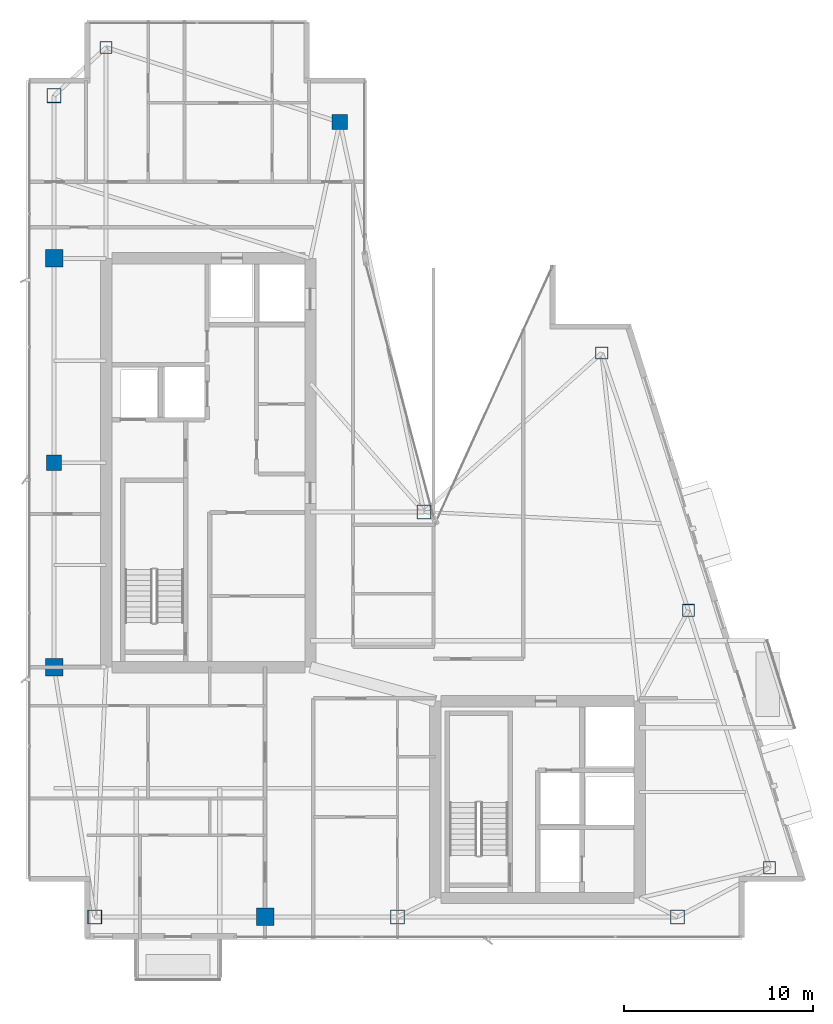
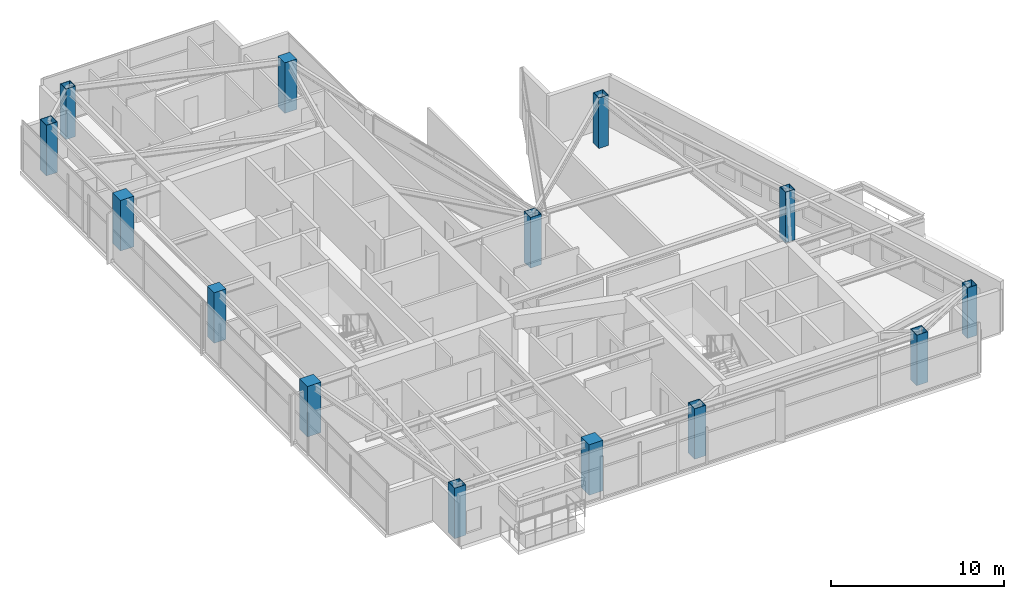
# One storey, part 1 of 27: 14 columns.
"""IFC4 building model written with IfcOpenShell, lengths in metres."""

import ifcopenshell
import ifcopenshell.guid

model = None  # the IFC model being written
_history = None  # IfcOwnerHistory: only IFC2X3 demands one
_inside = {}  # id of a spatial element -> (the spatial element, [elements in it])
_under = {}  # id of a project, library or spatial element -> (it, [spatial elements below it])
_declared = {}  # id of a project -> (the project, [libraries it declares])
_typed = {}  # id of a type object -> (the type object, [elements of that type])
_made_of = {}  # id of a material, layer set ... -> (it, [elements and type objects made of it])


def new_model(schema):
    """Start an empty IFC model of exactly this schema.

    Asked for "IFC4X3", IfcOpenShell would pick the latest addendum, in which some entities
    have other attributes; the version numbers below select the first issue.
    IFC2X3 requires an IfcOwnerHistory on every rooted entity: one is made here for all.
    """
    global model, _history
    if schema == "IFC4X3":
        model = ifcopenshell.file(schema_version=(4, 3, 0, 0))
    else:
        model = ifcopenshell.file(schema=schema)
    _inside.clear()
    _under.clear()
    _declared.clear()
    _typed.clear()
    _made_of.clear()
    _history = None
    if model.schema == "IFC2X3":
        org = make("IfcOrganization", Name="unknown")
        user = make(
            "IfcPersonAndOrganization",
            ThePerson=make("IfcPerson", FamilyName="unknown"),
            TheOrganization=org,
        )
        app = make(
            "IfcApplication",
            ApplicationDeveloper=org,
            Version="unknown",
            ApplicationFullName="unknown",
            ApplicationIdentifier="unknown",
        )
        _history = make(
            "IfcOwnerHistory",
            OwningUser=user,
            OwningApplication=app,
            ChangeAction="ADDED",
            CreationDate=0,
        )
    return model


def make(cls, **values):
    """One entity of the class cls with the attributes given. An attribute that is None is left unset."""
    return model.create_entity(
        cls, **{name: value for name, value in values.items() if value is not None}
    )


def rooted(cls, **values):
    """An entity with a GlobalId (a new one), such as an element, a storey or a relation."""
    return make(cls, GlobalId=ifcopenshell.guid.new(), OwnerHistory=_history, **values)


def si_unit(unit_type, name, prefix=None):
    """IfcSIUnit, for example si_unit("LENGTHUNIT", "METRE", prefix="MILLI")."""
    return make("IfcSIUnit", UnitType=unit_type, Prefix=prefix, Name=name)


def assignment(units):
    """IfcUnitAssignment: the units of a project."""
    return None if units is None else make("IfcUnitAssignment", Units=units)


def point(xyz):
    """IfcCartesianPoint."""
    return None if xyz is None else make("IfcCartesianPoint", Coordinates=xyz)


def direction(xyz):
    """IfcDirection."""
    return None if xyz is None else make("IfcDirection", DirectionRatios=xyz)


def frame(location, z_axis=None, x_axis=None):
    """IfcAxis2Placement3D, a coordinate frame: its origin and axes. An axis left out is left unset."""
    return make(
        "IfcAxis2Placement3D",
        Location=point(location),
        Axis=direction(z_axis),
        RefDirection=direction(x_axis),
    )


def frame_2d(location, x_axis=None):
    """IfcAxis2Placement2D, a coordinate frame in the plane: its origin and x axis."""
    return make(
        "IfcAxis2Placement2D", Location=point(location), RefDirection=direction(x_axis)
    )


def origin():
    """The frame at (0, 0, 0) with its axes left unset."""
    return frame((0.0, 0.0, 0.0))


def origin_2d():
    """The frame at (0, 0) in the plane with its x axis left unset."""
    return frame_2d((0.0, 0.0))


def place(relative_to, where):
    """IfcLocalPlacement: puts the frame where relative to a parent placement (None: the world)."""
    return make(
        "IfcLocalPlacement", PlacementRelTo=relative_to, RelativePlacement=where
    )


def context(
    kind, dimensions, precision=None, world=None, true_north=None, identifier=None
):
    """IfcGeometricRepresentationContext, for example the 3D "Model" context."""
    return make(
        "IfcGeometricRepresentationContext",
        ContextIdentifier=identifier,
        ContextType=kind,
        CoordinateSpaceDimension=dimensions,
        Precision=precision,
        WorldCoordinateSystem=world,
        TrueNorth=true_north,
    )


def subcontext(parent, identifier, kind, view, scale=None):
    """IfcGeometricRepresentationSubContext, for example "Body" below "Model"."""
    return make(
        "IfcGeometricRepresentationSubContext",
        ContextIdentifier=identifier,
        ContextType=kind,
        ParentContext=parent,
        TargetScale=scale,
        TargetView=view,
    )


def project(units=None, contexts=None):
    """IfcProject with its units and contexts."""
    return rooted(
        "IfcProject",
        Name="project",
        RepresentationContexts=contexts,
        UnitsInContext=assignment(units),
    )


def spatial(cls, under=None, at=None, **own):
    """A site, building, storey or space (cls), placed at a placement, below another one or the project."""
    s = rooted(cls, ObjectPlacement=at, **own)
    if under is not None:
        _under.setdefault(under.id(), (under, []))[1].append(s)
    return s


def profile(cls, at=None, kind="AREA", **sizes):
    """A parametric profile (cls). Its sizes go by their IFC names, for example OverallWidth=200.0."""
    return make(cls, ProfileType=kind, Position=at, **sizes)


def rectangle(**sizes):
    """IfcRectangleProfileDef."""
    return profile("IfcRectangleProfileDef", **sizes)


def hollow_rectangle(**sizes):
    """IfcRectangleHollowProfileDef."""
    return profile("IfcRectangleHollowProfileDef", **sizes)


def extrude(swept, where, along, depth):
    """IfcExtrudedAreaSolid: the profile swept, set in the frame where, extruded along a direction by depth."""
    return make(
        "IfcExtrudedAreaSolid",
        SweptArea=swept,
        Position=where,
        ExtrudedDirection=direction(along),
        Depth=depth,
    )


def shape(context_of_items, identifier, shape_type, items):
    """IfcShapeRepresentation: the items that make up one representation, for example the "Body"."""
    return make(
        "IfcShapeRepresentation",
        ContextOfItems=context_of_items,
        RepresentationIdentifier=identifier,
        RepresentationType=shape_type,
        Items=items,
    )


def material(Name=None, Category=None):
    """IfcMaterial."""
    return make("IfcMaterial", Name=Name, Category=Category)


def material_profile(
    of_material, cross_section, Name=None, Category=None, Priority=None
):
    """IfcMaterialProfile: a cross section and its material."""
    return make(
        "IfcMaterialProfile",
        Name=Name,
        Material=of_material,
        Profile=cross_section,
        Priority=Priority,
        Category=Category,
    )


def profile_set(profiles, Name=None, composite=None):
    """IfcMaterialProfileSet."""
    return make(
        "IfcMaterialProfileSet",
        Name=Name,
        MaterialProfiles=profiles,
        CompositeProfile=composite,
    )


def made_of(thing, what):
    """Note that an element or type object is made of a material, layer set ...; save() writes the relation."""
    if what is not None:
        _made_of.setdefault(what.id(), (what, []))[1].append(thing)
    return thing


def type_object(cls, material=None, **own):
    """A type object (cls), such as IfcWallType, which elements share."""
    return made_of(rooted(cls, **own), material)


def element(
    cls,
    number,
    at=None,
    inside=None,
    cuts=None,
    type_object=None,
    material=None,
    context=None,
    identifier="Body",
    shape_type=None,
    held_by="IfcProductDefinitionShape",
    body=None,
    shapes=None,
    **own,
):
    """One element of the class cls, such as IfcWall. Its Tag is "e" and its number.

    at: its placement. inside: the storey or other place that contains it. cuts: it is an
    opening in that element (IfcRelVoidsElement). A single representation is given by context,
    identifier, shape_type and body (its items); several are given by shapes. held_by: the class
    of the entity that holds the representations. save() writes the other relations.
    """
    e = rooted(cls, Tag="e%d" % number, ObjectPlacement=at, **own)
    if body is not None:
        shapes = [shape(context, identifier, shape_type, body)]
    if shapes is not None:
        e.Representation = make(held_by, Representations=shapes)
    if inside is not None:
        _inside.setdefault(inside.id(), (inside, []))[1].append(e)
    if cuts is not None:
        rooted(
            "IfcRelVoidsElement", RelatingBuildingElement=cuts, RelatedOpeningElement=e
        )
    if type_object is not None:
        _typed.setdefault(type_object.id(), (type_object, []))[1].append(e)
    return made_of(e, material)


def aggregate(whole, parts):
    """IfcRelAggregates: a whole, such as a stair, and the parts it consists of."""
    return rooted("IfcRelAggregates", RelatingObject=whole, RelatedObjects=parts)


def save(model, path):
    """Write the relations noted so far, then the file.

    IfcRelAggregates (storeys below a building ...), IfcRelContainedInSpatialStructure (elements
    in a storey), IfcRelDefinesByType, IfcRelAssociatesMaterial and IfcRelDeclares: one each for
    every whole, place, type object, material and project.
    """
    for whole, parts in _under.values():
        aggregate(whole, parts)
    for where, things in _inside.values():
        rooted(
            "IfcRelContainedInSpatialStructure",
            RelatedElements=things,
            RelatingStructure=where,
        )
    for kind, things in _typed.values():
        rooted("IfcRelDefinesByType", RelatedObjects=things, RelatingType=kind)
    for what, things in _made_of.values():
        rooted("IfcRelAssociatesMaterial", RelatedObjects=things, RelatingMaterial=what)
    for by, libraries in _declared.values():
        rooted("IfcRelDeclares", RelatingContext=by, RelatedDefinitions=libraries)
    model.write(path)


model = new_model("IFC4")

# Units and contexts
model_context = context("Model", 3, precision=1e-05, world=origin(), true_north=direction((0.0, 1.0)))
body_context = subcontext(model_context, "Body", "Model", "MODEL_VIEW")
ifc_project = project(units=[si_unit("LENGTHUNIT", "METRE"), si_unit("AREAUNIT", "SQUARE_METRE"), si_unit("VOLUMEUNIT", "CUBIC_METRE"), si_unit("PLANEANGLEUNIT", "RADIAN"), si_unit("MASSUNIT", "GRAM", prefix="KILO")], contexts=[model_context])

# Site, building, storey
site_placement = place(None, origin())
site = spatial("IfcSite", under=ifc_project, at=site_placement, CompositionType="ELEMENT")
building_placement = place(site_placement, origin())
building = spatial("IfcBuilding", under=site, at=building_placement, Name="Calvorn Quay Hotel", CompositionType="ELEMENT")
storey_placement = place(building_placement, frame((0.0, 0.0, 294.89990234375)))
storey = spatial("IfcBuildingStorey", under=building, at=storey_placement, Name="L73", CompositionType="ELEMENT", Elevation=294.89990234375)

# Columns
ifc_material_1 = material(Name="Concrete C45", Category="concrete")
ifc_material_profile_1 = material_profile(ifc_material_1, rectangle(XDim=0.800048828125, YDim=0.800048828125, at=origin_2d()), Name="RC800x800")
ifc_profile_set_1 = profile_set([ifc_material_profile_1], Name="Concrete C45")
column_type_1 = type_object("IfcColumnType", Name="COL-RC-800", PredefinedType="COLUMN", material=ifc_profile_set_1)
for number, where, z_axis, x_axis, name in (
    (1, (1.449951171875, 27.60009765625, 0.0), (0.0, 0.0, 1.0), (1.0, 0.0, 0.0), "Column C-W3 (L73)"),
    (2, (16.550048828125, 45.60009765625, 0.0), (0.0, 0.0, 1.0), (1.0, 0.0, 0.0), "Column C-IC1 (L73)"),
):
    element("IfcColumn", number, at=place(storey_placement, frame(where, z_axis=z_axis, x_axis=x_axis)), inside=storey, type_object=column_type_1, Name=name, PredefinedType="COLUMN", context=body_context, shape_type="SweptSolid", body=[
        extrude(rectangle(XDim=0.800048828125, YDim=0.800048828125, at=origin_2d()), origin(), (0.0, 0.0, 1.0), 3.56005859375),
    ])
ifc_material_2 = material(Name="Concrete C45", Category="concrete")
ifc_material_profile_2 = material_profile(ifc_material_2, rectangle(XDim=0.919921875, YDim=0.919921875, at=origin_2d()), Name="RC920x920")
ifc_profile_set_2 = profile_set([ifc_material_profile_2], Name="Concrete C45")
column_type_2 = type_object("IfcColumnType", Name="COL-RC-920", PredefinedType="COLUMN", material=ifc_profile_set_2)
for number, where, z_axis, x_axis, name in (
    (3, (1.449951171875, 16.800048828125, 0.0), (0.0, 0.0, 1.0), (1.0, 0.0, 0.0), "Column C-W2 (L73)"),
    (4, (1.449951171875, 38.39990234375, 0.0), (0.0, 0.0, 1.0), (1.0, 0.0, 0.0), "Column C-W4 (L73)"),
    (5, (12.60009765625, 3.60009765625, 0.0), (0.0, 0.0, 1.0), (1.0, 0.0, 0.0), "Column C-S1 (L73)"),
):
    element("IfcColumn", number, at=place(storey_placement, frame(where, z_axis=z_axis, x_axis=x_axis)), inside=storey, type_object=column_type_2, Name=name, PredefinedType="COLUMN", context=body_context, shape_type="SweptSolid", body=[
        extrude(rectangle(XDim=0.919921875, YDim=0.919921875, at=origin_2d()), origin(), (0.0, 0.0, 1.0), 3.56005859375),
    ])
ifc_material_3 = material(Name="Steel Q390GJC", Category="steel")
ifc_material_profile_3 = material_profile(ifc_material_3, hollow_rectangle(XDim=0.75, YDim=0.75, WallThickness=0.031982421875, at=origin_2d()), Name="BOX750x750x32")
ifc_profile_set_3 = profile_set([ifc_material_profile_3], Name="Steel Q390GJC")
column_type_3 = type_object("IfcColumnType", Name="COL-STL-Z3", PredefinedType="COLUMN", material=ifc_profile_set_3)
for number, where, z_axis, x_axis, name in (
    (6, (3.60009765625, 3.60009765625, 0.0), (0.0, 0.0, 1.0), (1.0, 0.0, 0.0), "Column C-W1 (L73)"),
    (7, (1.449951171875, 47.0, 0.0), (0.0, 0.0, 1.0), (1.0, 0.0, 0.0), "Column C-W5 (L73)"),
    (8, (21.0, 25.0, 0.0), (0.0, 0.0, 1.0), (1.0, 0.0, 0.0), "Column C-IC2 (L73)"),
    (9, (19.60009765625, 3.60009765625, 0.0), (0.0, 0.0, 1.0), (1.0, 0.0, 0.0), "Column C-S2 (L73)"),
    (10, (34.39990234375, 3.60009765625, 0.0), (0.0, 0.0, 1.0), (1.0, 0.0, 0.0), "Column C-S3 (L73)"),
):
    element("IfcColumn", number, at=place(storey_placement, frame(where, z_axis=z_axis, x_axis=x_axis)), inside=storey, type_object=column_type_3, Name=name, PredefinedType="COLUMN", context=body_context, shape_type="SweptSolid", body=[
        extrude(hollow_rectangle(XDim=0.75, YDim=0.75, WallThickness=0.031982421875, at=origin_2d()), origin(), (0.0, 0.0, 1.0), 3.56005859375),
    ])
ifc_material_4 = material(Name="Steel Q355B", Category="steel")
ifc_material_profile_4 = material_profile(ifc_material_4, hollow_rectangle(XDim=0.64990234375, YDim=0.64990234375, WallThickness=0.028076171875, at=origin_2d()), Name="BOX650x650x28")
ifc_profile_set_4 = profile_set([ifc_material_profile_4], Name="Steel Q355B")
column_type_4 = type_object("IfcColumnType", Name="COL-STL-Z4", PredefinedType="COLUMN", material=ifc_profile_set_4)
for number, where, z_axis, x_axis, name in (
    (11, (4.199951171875, 49.550048828125, 0.0), (0.0, 0.0, 1.0), (1.0, 0.0, 0.0), "Column C-NW1 (L73)"),
    (12, (39.260986328125, 6.199951171875, 0.0), (0.0, 0.0, 1.0), (1.0, 0.0, 0.0), "Column C-ET1 (L73)"),
    (13, (34.97607421875, 19.800048828125, 0.0), (0.0, 0.0, 1.0), (1.0, 0.0, 0.0), "Column C-ET2 (L73)"),
    (14, (30.39111328125, 33.39990234375, 0.0), (0.0, 0.0, 1.0), (1.0, 0.0, 0.0), "Column C-ET3 (L73)"),
):
    element("IfcColumn", number, at=place(storey_placement, frame(where, z_axis=z_axis, x_axis=x_axis)), inside=storey, type_object=column_type_4, Name=name, PredefinedType="COLUMN", context=body_context, shape_type="SweptSolid", body=[
        extrude(hollow_rectangle(XDim=0.64990234375, YDim=0.64990234375, WallThickness=0.028076171875, at=origin_2d()), origin(), (0.0, 0.0, 1.0), 3.56005859375),
    ])

save(model, "model.ifc")
